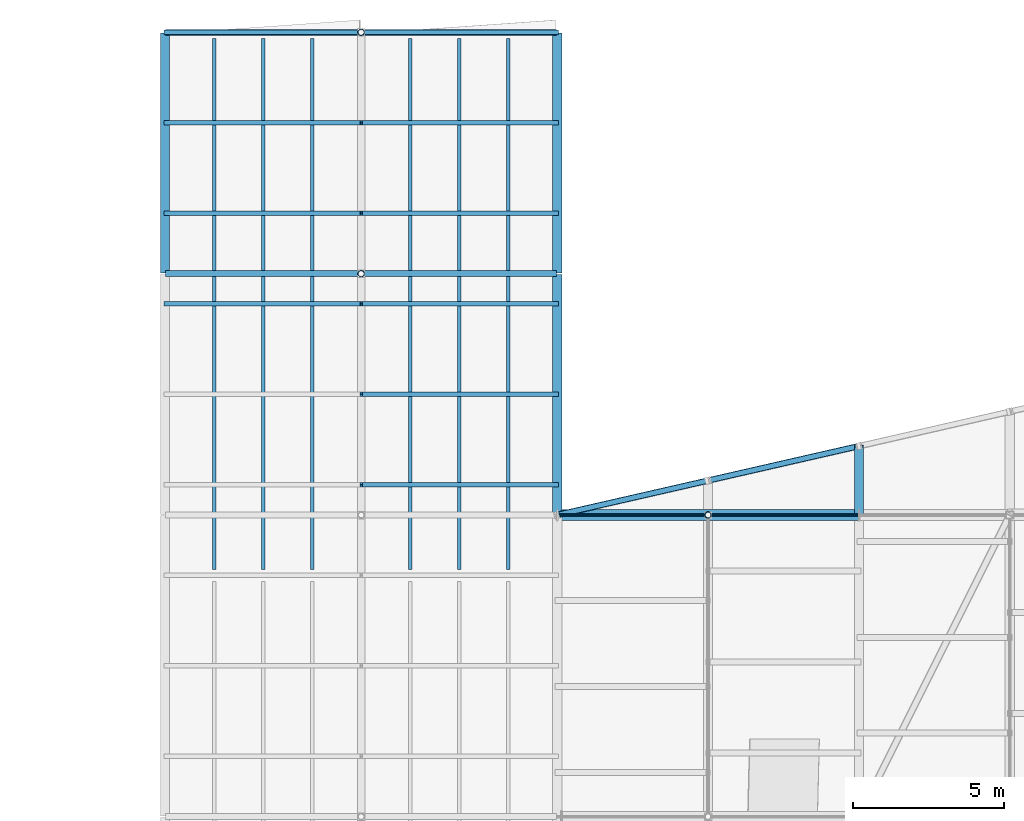
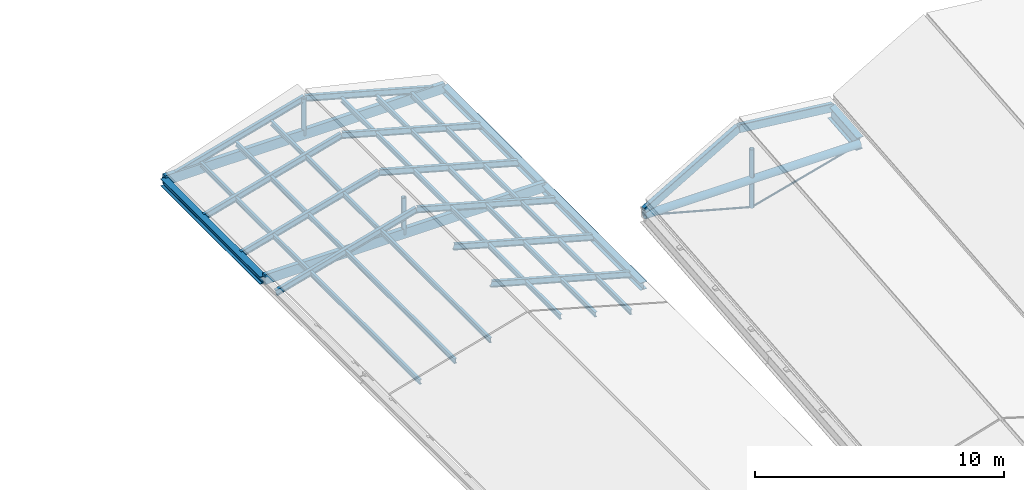
# One storey, part 48 of 90: 21 members, 9 beams.
"""IFC4 building model written with IfcOpenShell, lengths in metres."""

from ifc_helpers import new_model, si_unit, direction, frame, origin, origin_2d, place, context, subcontext, project, spatial, rectangle, hollow_rectangle, circle, hollow_circle, i_section, extrude, material, material_profile, profile_set, type_object, element, save


model = new_model("IFC4")

# Units and contexts
model_context = context("Model", 3, precision=1e-05, world=origin(), true_north=direction((0.0, 1.0)))
body_context = subcontext(model_context, "Body", "Model", "MODEL_VIEW")
ifc_project = project(units=[si_unit("LENGTHUNIT", "METRE"), si_unit("AREAUNIT", "SQUARE_METRE"), si_unit("VOLUMEUNIT", "CUBIC_METRE"), si_unit("PLANEANGLEUNIT", "RADIAN"), si_unit("MASSUNIT", "GRAM", prefix="KILO"), si_unit("THERMODYNAMICTEMPERATUREUNIT", "KELVIN"), si_unit("POWERUNIT", "WATT")], contexts=[model_context])

# Site, building, storey
site_placement = place(None, origin())
site = spatial("IfcSite", under=ifc_project, at=site_placement, CompositionType="ELEMENT")
building_placement = place(site_placement, origin())
building = spatial("IfcBuilding", under=site, at=building_placement, Name="Korenveer Ferry Terminal", CompositionType="ELEMENT")
storey_placement = place(building_placement, frame((0.0, 0.0, 22.199951171875)))
storey = spatial("IfcBuildingStorey", under=building, at=storey_placement, Name="RF", CompositionType="ELEMENT", Elevation=22.199951171875)

# Beams
ifc_material_1 = material(Name="Steel S355", Category="steel")
ifc_material_profile_1 = material_profile(ifc_material_1, i_section(OverallWidth=0.300048828125, OverallDepth=0.360107421875, WebThickness=0.012451171875, FlangeThickness=0.0224609375, FilletRadius=0.027099609375, at=origin_2d()), Name="HEB 360")
ifc_profile_set_1 = profile_set([ifc_material_profile_1], Name="Steel S355")
beam_type_1 = type_object("IfcBeamType", Name="STR-BM-HEB360", PredefinedType="BEAM", material=ifc_profile_set_1)
for number, where, z_axis, x_axis, name in (
    (1, (40.0, 108.02001953125, -7.619873046875), (0.0, 1.0, 0.0), (-1.0, 0.0, 0.0), "Wing eave beam PIERW 194"),
    (2, (53.0, 100.02001953125, -7.619873046875), (0.0, 1.0, 0.0), (-1.0, 0.0, 0.0), "Wing eave beam PIERW 197"),
    (3, (53.0, 108.02001953125, -7.619873046875), (0.0, 1.0, 0.0), (-1.0, 0.0, 0.0), "Wing eave beam PIERW 198"),
):
    element("IfcBeam", number, at=place(storey_placement, frame(where, z_axis=z_axis, x_axis=x_axis)), inside=storey, type_object=beam_type_1, Name=name, PredefinedType="BEAM", context=body_context, shape_type="SweptSolid", body=[
        extrude(i_section(OverallWidth=0.300048828125, OverallDepth=0.360107421875, WebThickness=0.012451171875, FlangeThickness=0.0224609375, FilletRadius=0.027099609375, at=origin_2d()), origin(), (0.0, 0.0, 1.0), 7.9599609375),
    ])
ifc_material_profile_2 = material_profile(ifc_material_1, i_section(OverallWidth=0.300048828125, OverallDepth=0.64990234375, WebThickness=0.01611328125, FlangeThickness=0.031005859375, FilletRadius=0.027099609375, at=origin_2d()), Name="HEB 650")
ifc_profile_set_2 = profile_set([ifc_material_profile_2], Name="Steel S355")
beam_type_2 = type_object("IfcBeamType", Name="STR-BM-HEB650", PredefinedType="BEAM", material=ifc_profile_set_2)
beam_1_placement = place(storey_placement, frame((63.0, 100.0, -4.1376953125), z_axis=(0.0, 0.995903663151, 0.090420648759), x_axis=(-1.0, 0.0, 0.0)))
element("IfcBeam", 4, at=beam_1_placement, inside=storey, type_object=beam_type_2, Name="Folded roof valley girder 27", PredefinedType="BEAM", context=body_context, shape_type="SweptSolid", body=[
    extrude(i_section(OverallWidth=0.300048828125, OverallDepth=0.64990234375, WebThickness=0.01611328125, FlangeThickness=0.031005859375, FilletRadius=0.027099609375, at=origin_2d()), origin(), (0.0, 0.0, 1.0), 2.295166015625),
])

# Members
ifc_material_2 = material(Name="High-strength steel S460", Category="steel")
ifc_material_profile_3 = material_profile(ifc_material_2, circle(Radius=0.044921875, at=origin_2d()), Name="ROD D90")
ifc_profile_set_3 = profile_set([ifc_material_profile_3], Name="High-strength steel S460")
member_type_1 = type_object("IfcMemberType", Name="STR-CBL-D90", PredefinedType="USERDEFINED", material=ifc_profile_set_3)
for number, where, z_axis, x_axis, name in (
    (5, (53.0, 100.0, -4.1376953125), (0.965424337217, 0.0, -0.260683426993), (0.0, 1.0, 0.0), "Roof tension tie cable 85"),
    (6, (63.0, 100.0, -4.1376953125), (-0.965424337217, 0.0, -0.260683426993), (0.0, -1.0, 0.0), "Roof tension tie cable 86"),
):
    element("IfcMember", number, at=place(storey_placement, frame(where, z_axis=z_axis, x_axis=x_axis)), inside=storey, type_object=member_type_1, Name=name, ObjectType="CABLE", PredefinedType="USERDEFINED", context=body_context, shape_type="SweptSolid", body=[
        extrude(circle(Radius=0.044921875, at=origin_2d()), origin(), (0.0, 0.0, 1.0), 5.178955078125),
    ])
ifc_material_profile_4 = material_profile(ifc_material_1, i_section(OverallWidth=0.1201171875, OverallDepth=0.239990234375, WebThickness=0.006103515625, FlangeThickness=0.009765625, FilletRadius=0.014892578125, at=origin_2d()), Name="IPE 240")
ifc_profile_set_4 = profile_set([ifc_material_profile_4], Name="Steel S355")
member_type_2 = type_object("IfcMemberType", Name="STR-PUR-IPE240", PredefinedType="PURLIN", material=ifc_profile_set_4)
for number, where, z_axis, x_axis, name in (
    (7, (41.625, 98.199951171875, -7.22998046875), (0.0, 1.0, 0.0), (-1.0, 0.0, 0.0), "Pitched wing roof steel purlin 302"),
    (8, (43.25, 98.199951171875, -6.780029296875), (0.0, 1.0, 0.0), (-1.0, 0.0, 0.0), "Pitched wing roof steel purlin 304"),
    (9, (44.875, 98.199951171875, -6.329833984375), (0.0, 1.0, 0.0), (-1.0, 0.0, 0.0), "Pitched wing roof steel purlin 306"),
    (10, (48.125, 98.199951171875, -6.329833984375), (0.0, 1.0, 0.0), (-1.0, 0.0, 0.0), "Pitched wing roof steel purlin 308"),
    (11, (49.75, 98.199951171875, -6.780029296875), (0.0, 1.0, 0.0), (-1.0, 0.0, 0.0), "Pitched wing roof steel purlin 310"),
    (12, (51.375, 98.199951171875, -7.22998046875), (0.0, 1.0, 0.0), (-1.0, 0.0, 0.0), "Pitched wing roof steel purlin 312"),
):
    element("IfcMember", number, at=place(storey_placement, frame(where, z_axis=z_axis, x_axis=x_axis)), inside=storey, type_object=member_type_2, Name=name, PredefinedType="PURLIN", context=body_context, shape_type="SweptSolid", body=[
        extrude(i_section(OverallWidth=0.1201171875, OverallDepth=0.239990234375, WebThickness=0.006103515625, FlangeThickness=0.009765625, FilletRadius=0.014892578125, at=origin_2d()), origin(), (0.0, 0.0, 1.0), 17.60009765625),
    ])
ifc_material_profile_5 = material_profile(ifc_material_1, i_section(OverallWidth=0.14990234375, OverallDepth=0.300048828125, WebThickness=0.007080078125, FlangeThickness=0.0107421875, FilletRadius=0.014892578125, at=origin_2d()), Name="IPE 300")
ifc_profile_set_5 = profile_set([ifc_material_profile_5], Name="Steel S355")
member_type_3 = type_object("IfcMemberType", Name="STR-RAF-IPE300", PredefinedType="RAFTER", material=ifc_profile_set_5)
for number, where, z_axis, x_axis, name in (
    (13, (46.5, 101.0, -5.820068359375), (0.963737469599, 0.0, -0.26685218697), (0.0, 1.0, 0.0), "Pitched roof rafter 144"),
    (14, (46.5, 104.0, -5.820068359375), (0.963737469599, 0.0, -0.26685218697), (0.0, 1.0, 0.0), "Pitched roof rafter 146"),
    (15, (40.0, 107.0, -7.619873046875), (0.963737469599, 0.0, 0.26685218697), (0.0, 1.0, 0.0), "Pitched roof rafter 147"),
    (16, (46.5, 107.0, -5.820068359375), (0.963737469599, 0.0, -0.26685218697), (0.0, 1.0, 0.0), "Pitched roof rafter 148"),
    (17, (40.0, 110.0, -7.619873046875), (0.963737469599, 0.0, 0.26685218697), (0.0, 1.0, 0.0), "Pitched roof rafter 149"),
    (18, (46.5, 110.0, -5.820068359375), (0.963737469599, 0.0, -0.26685218697), (0.0, 1.0, 0.0), "Pitched roof rafter 150"),
    (19, (40.0, 113.0, -7.619873046875), (0.963737469599, 0.0, 0.26685218697), (0.0, 1.0, 0.0), "Pitched roof rafter 151"),
    (20, (46.5, 113.0, -5.820068359375), (0.963737469599, 0.0, -0.26685218697), (0.0, 1.0, 0.0), "Pitched roof rafter 152"),
    (21, (40.0, 116.0, -7.619873046875), (0.963737469599, 0.0, 0.26685218697), (0.0, 1.0, 0.0), "Pitched roof rafter 153"),
    (22, (46.5, 116.0, -5.820068359375), (0.963737469599, 0.0, -0.26685218697), (0.0, 1.0, 0.0), "Pitched roof rafter 154"),
):
    element("IfcMember", number, at=place(storey_placement, frame(where, z_axis=z_axis, x_axis=x_axis)), inside=storey, type_object=member_type_3, Name=name, PredefinedType="RAFTER", context=body_context, shape_type="SweptSolid", body=[
        extrude(i_section(OverallWidth=0.14990234375, OverallDepth=0.300048828125, WebThickness=0.007080078125, FlangeThickness=0.0107421875, FilletRadius=0.014892578125, at=origin_2d()), origin(), (0.0, 0.0, 1.0), 6.74462890625),
    ])

# Beams
ifc_material_profile_6 = material_profile(ifc_material_1, hollow_circle(Radius=0.177734375, WallThickness=0.01611328125, at=origin_2d()), Name="CHS 355.6x16")
ifc_profile_set_6 = profile_set([ifc_material_profile_6], Name="Steel S355")
beam_type_3 = type_object("IfcBeamType", Name="STR-RFG-CHS355", PredefinedType="USERDEFINED", material=ifc_profile_set_6)
beam_2_placement = place(storey_placement, frame((53.02001953125, 100.0, -4.1376953125), z_axis=(1.0, 0.0, 0.0), x_axis=(0.0, 1.0, 0.0)))
element("IfcBeam", 23, at=beam_2_placement, inside=storey, type_object=beam_type_3, Name="Roof transverse tie girder 131", ObjectType="ROOF GIRDER", PredefinedType="USERDEFINED", context=body_context, shape_type="SweptSolid", body=[
    extrude(hollow_circle(Radius=0.177734375, WallThickness=0.01611328125, at=origin_2d()), origin(), (0.0, 0.0, 1.0), 9.9599609375),
])
ifc_material_3 = material(Name="Glulam GL28h", Category="wood")
ifc_material_profile_7 = material_profile(ifc_material_3, rectangle(XDim=0.199951171875, YDim=0.47998046875, at=origin_2d()), Name="GL 200x480")
ifc_profile_set_7 = profile_set([ifc_material_profile_7], Name="Glulam GL28h")
beam_type_4 = type_object("IfcBeamType", Name="STR-RFG-GL200", PredefinedType="USERDEFINED", material=ifc_profile_set_7)
for number, where, z_axis, x_axis, name in (
    (24, (40.02001953125, 108.0, -7.56005859375), (1.0, 0.0, 0.0), (0.0, 1.0, 0.0), "Wing roof collar tie PIERW 203"),
    (25, (40.02001953125, 116.0, -7.56005859375), (1.0, 0.0, 0.0), (0.0, 1.0, 0.0), "Wing roof collar tie PIERW 204"),
):
    element("IfcBeam", number, at=place(storey_placement, frame(where, z_axis=z_axis, x_axis=x_axis)), inside=storey, type_object=beam_type_4, Name=name, ObjectType="ROOF GIRDER", PredefinedType="USERDEFINED", context=body_context, shape_type="SweptSolid", body=[
        extrude(rectangle(XDim=0.199951171875, YDim=0.47998046875, at=origin_2d()), origin(), (0.0, 0.0, 1.0), 12.9599609375),
    ])
ifc_material_profile_8 = material_profile(ifc_material_1, hollow_rectangle(XDim=0.199951171875, YDim=0.39990234375, WallThickness=0.01611328125, InnerFilletRadius=0.01611328125, OuterFilletRadius=0.02392578125, at=origin_2d()), Name="RHS 400x200x16")
ifc_profile_set_8 = profile_set([ifc_material_profile_8], Name="Steel S355")
beam_type_5 = type_object("IfcBeamType", Name="STR-SPD-RHS400", PredefinedType="SPANDREL", material=ifc_profile_set_8)
beam_3_placement = place(storey_placement, frame((53.0, 100.0, -3.937744140625), z_axis=(0.92992872309, 0.212548650038, 0.300092721236), x_axis=(-0.222818339044, 0.974859983683, 0.0)))
element("IfcBeam", 26, at=beam_3_placement, inside=storey, type_object=beam_type_5, Name="Prow roof perimeter ring beam BMFSC-B0-53", PredefinedType="SPANDREL", context=body_context, shape_type="SweptSolid", body=[
    extrude(hollow_rectangle(XDim=0.199951171875, YDim=0.39990234375, WallThickness=0.01611328125, InnerFilletRadius=0.01611328125, OuterFilletRadius=0.02392578125, at=origin_2d()), origin(), (0.0, 0.0, 1.0), 5.376708984375),
])
beam_4_placement = place(storey_placement, frame((58.0, 101.142822265625, -2.32421875), z_axis=(0.940173643444, 0.214890274656, -0.264377930302), x_axis=(-0.222818339044, 0.974859983683, 0.0)))
element("IfcBeam", 27, at=beam_4_placement, inside=storey, type_object=beam_type_5, Name="Prow roof perimeter ring beam BMFSC-B0-58", PredefinedType="SPANDREL", context=body_context, shape_type="SweptSolid", body=[
    extrude(hollow_rectangle(XDim=0.199951171875, YDim=0.39990234375, WallThickness=0.01611328125, InnerFilletRadius=0.01611328125, OuterFilletRadius=0.02392578125, at=origin_2d()), origin(), (0.0, 0.0, 1.0), 5.318115234375),
])

# Members
ifc_material_profile_9 = material_profile(ifc_material_1, hollow_circle(Radius=0.109619140625, WallThickness=0.012451171875, at=origin_2d()), Name="CHS 219.1x12.5")
ifc_profile_set_9 = profile_set([ifc_material_profile_9], Name="Steel S355")
member_type_4 = type_object("IfcMemberType", Name="STR-STT-CHS219", PredefinedType="STRUT", material=ifc_profile_set_9)
member_placement = place(storey_placement, frame((58.0, 100.0, -5.48779296875), z_axis=(0.0, 0.0, 1.0), x_axis=(1.0, 0.0, 0.0)))
element("IfcMember", 28, at=member_placement, inside=storey, type_object=member_type_4, Name="Roof king-post strut STTKP-Y100-B0", PredefinedType="STRUT", context=body_context, shape_type="SweptSolid", body=[
    extrude(hollow_circle(Radius=0.109619140625, WallThickness=0.012451171875, at=origin_2d()), origin(), (0.0, 0.0, 1.0), 2.85986328125),
])
for number, where, z_axis, x_axis, name in (
    (29, (46.5, 108.0, -7.619873046875), (0.0, 0.0, 1.0), (1.0, 0.0, 0.0), "Wing ridge strut STTWR-PIERW-Y108"),
    (30, (46.5, 116.0, -7.619873046875), (0.0, 0.0, 1.0), (1.0, 0.0, 0.0), "Wing ridge strut STTWR-PIERW-Y116"),
):
    element("IfcMember", number, at=place(storey_placement, frame(where, z_axis=z_axis, x_axis=x_axis)), inside=storey, type_object=member_type_4, Name=name, PredefinedType="STRUT", context=body_context, shape_type="SweptSolid", body=[
        extrude(hollow_circle(Radius=0.109619140625, WallThickness=0.012451171875, at=origin_2d()), origin(), (0.0, 0.0, 1.0), 1.7998046875),
    ])

save(model, "model.ifc")
